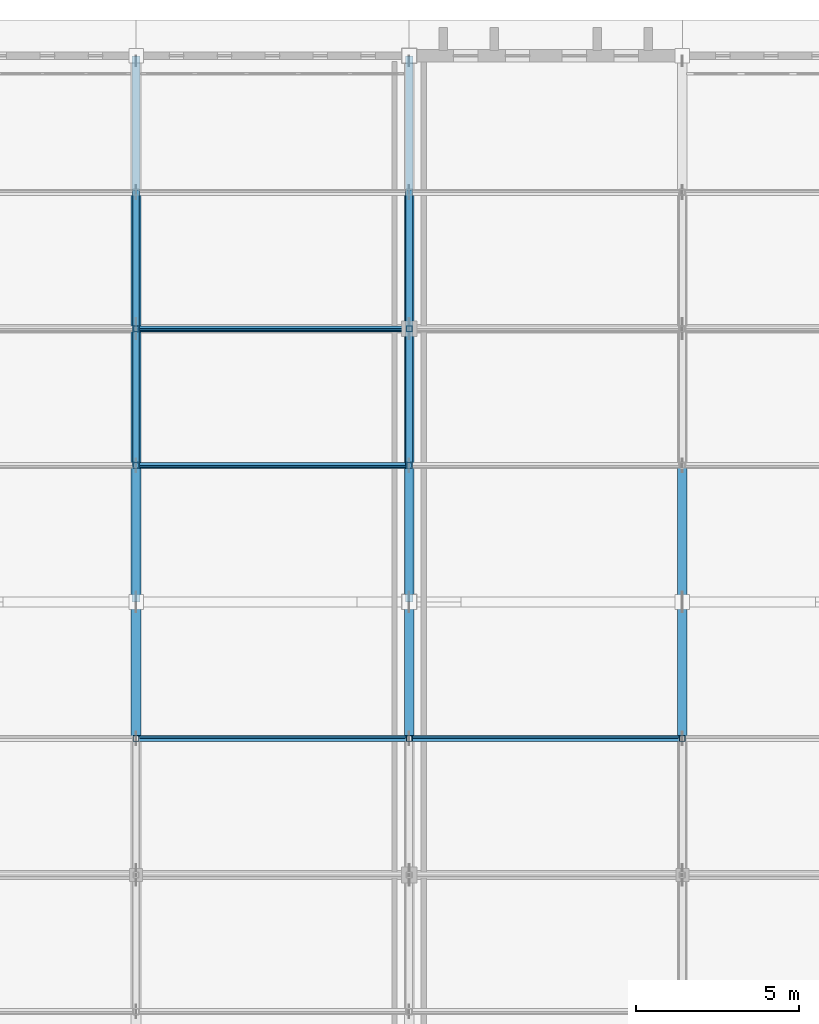
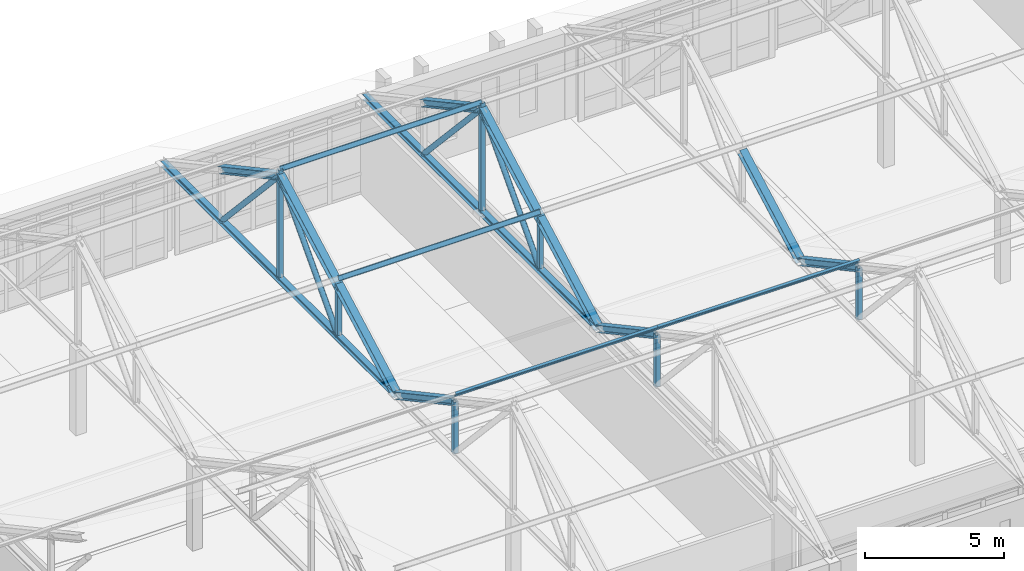
# One storey, part 36 of 110: 27 members.
"""IFC4 building model written with IfcOpenShell, lengths in metres."""

from ifc_helpers import new_model, si_unit, direction, frame, origin, origin_2d, place, context, subcontext, project, spatial, hollow_rectangle, hollow_circle, i_section, extrude, material, material_profile, profile_set, type_object, element, save


model = new_model("IFC4")

# Units and contexts
model_context = context("Model", 3, precision=1e-05, world=origin(), true_north=direction((0.0, 1.0)))
body_context = subcontext(model_context, "Body", "Model", "MODEL_VIEW")
ifc_project = project(units=[si_unit("LENGTHUNIT", "METRE"), si_unit("AREAUNIT", "SQUARE_METRE"), si_unit("VOLUMEUNIT", "CUBIC_METRE"), si_unit("PLANEANGLEUNIT", "RADIAN"), si_unit("MASSUNIT", "GRAM", prefix="KILO")], contexts=[model_context])

# Site, building, storey
site_placement = place(None, origin())
site = spatial("IfcSite", under=ifc_project, at=site_placement, CompositionType="ELEMENT")
building_placement = place(site_placement, origin())
building = spatial("IfcBuilding", under=site, at=building_placement, Name="Kveldsbrygga Polytechnic", CompositionType="ELEMENT")
storey_placement = place(building_placement, frame((0.0, 0.0, 9.860107421875)))
storey = spatial("IfcBuildingStorey", under=building, at=storey_placement, Name="L02", CompositionType="ELEMENT", Elevation=9.860107421875)

# Members
ifc_material = material(Name="Steel S355", Category="steel")
ifc_material_profile_1 = material_profile(ifc_material, i_section(OverallWidth=0.10009765625, OverallDepth=0.199951171875, WebThickness=0.005615234375, FlangeThickness=0.008544921875, FilletRadius=0.011962890625, at=origin_2d()), Name="IPE 200")
ifc_profile_set_1 = profile_set([ifc_material_profile_1], Name="Steel S355")
member_type_1 = type_object("IfcMemberType", Name="PRL-IPE200", PredefinedType="PURLIN", material=ifc_profile_set_1)
member_1_placement = place(storey_placement, frame((67.199951171875, 96.60009765625, 6.33349609375), z_axis=(1.0, 0.0, 0.0), x_axis=(0.0, 0.879292204483, 0.476282709256)))
element("IfcMember", 1, at=member_1_placement, inside=storey, type_object=member_type_1, Name="Roof Purlin V2L1-PRL-4-3", PredefinedType="PURLIN", context=body_context, shape_type="SweptSolid", body=[
    extrude(i_section(OverallWidth=0.10009765625, OverallDepth=0.199951171875, WebThickness=0.005615234375, FlangeThickness=0.008544921875, FilletRadius=0.011962890625, at=origin_2d()), origin(), (0.0, 0.0, 1.0), 8.400146484375),
])
member_2_placement = place(storey_placement, frame((75.60009765625, 96.60009765625, 6.33349609375), z_axis=(1.0, 0.0, 0.0), x_axis=(0.0, 0.879292204483, 0.476282709256)))
element("IfcMember", 2, at=member_2_placement, inside=storey, type_object=member_type_1, Name="Roof Purlin V2L1-PRL-5-3", PredefinedType="PURLIN", context=body_context, shape_type="SweptSolid", body=[
    extrude(i_section(OverallWidth=0.10009765625, OverallDepth=0.199951171875, WebThickness=0.005615234375, FlangeThickness=0.008544921875, FilletRadius=0.011962890625, at=origin_2d()), origin(), (0.0, 0.0, 1.0), 8.39990234375),
])
for number, where, z_axis, x_axis, name in (
    (3, (67.199951171875, 105.0, 6.33349609375), (1.0, 0.0, 0.0), (0.0, 0.879292204483, -0.476282709256), "Roof Purlin V2L2-PRL-4-1"),
    (4, (67.199951171875, 109.199951171875, 8.608642578125), (1.0, 0.0, 0.0), (0.0, 0.879292204483, -0.476282709256), "Roof Purlin V2L2-PRL-4-2"),
):
    element("IfcMember", number, at=place(storey_placement, frame(where, z_axis=z_axis, x_axis=x_axis)), inside=storey, type_object=member_type_1, Name=name, PredefinedType="PURLIN", context=body_context, shape_type="SweptSolid", body=[
        extrude(i_section(OverallWidth=0.10009765625, OverallDepth=0.199951171875, WebThickness=0.005615234375, FlangeThickness=0.008544921875, FilletRadius=0.011962890625, at=origin_2d()), origin(), (0.0, 0.0, 1.0), 8.400146484375),
    ])
ifc_material_profile_2 = material_profile(ifc_material, i_section(OverallWidth=0.239990234375, OverallDepth=0.22998046875, WebThickness=0.007568359375, FlangeThickness=0.011962890625, FilletRadius=0.02099609375, at=origin_2d()), Name="HEA 240")
ifc_profile_set_2 = profile_set([ifc_material_profile_2], Name="Steel S355")
member_type_2 = type_object("IfcMemberType", Name="TR-BOT-HEA240", PredefinedType="CHORD", material=ifc_profile_set_2)
for number, where, z_axis, x_axis, name in (
    (5, (67.199951171875, 100.800048828125, 3.77978515625), (0.0, 1.0, 0.0), (-1.0, 0.0, 0.0), "Truss Bottom Chord V2L2-T04-BC-1"),
    (6, (75.60009765625, 100.800048828125, 3.77978515625), (0.0, 1.0, 0.0), (-1.0, 0.0, 0.0), "Truss Bottom Chord V2L2-T05-BC-1"),
):
    element("IfcMember", number, at=place(storey_placement, frame(where, z_axis=z_axis, x_axis=x_axis)), inside=storey, type_object=member_type_2, Name=name, PredefinedType="CHORD", context=body_context, shape_type="SweptSolid", body=[
        extrude(i_section(OverallWidth=0.239990234375, OverallDepth=0.22998046875, WebThickness=0.007568359375, FlangeThickness=0.011962890625, FilletRadius=0.02099609375, at=origin_2d()), origin(), (0.0, 0.0, 1.0), 16.800048828125),
    ])
ifc_material_profile_3 = material_profile(ifc_material, hollow_circle(Radius=0.109619140625, WallThickness=0.012451171875, at=origin_2d()), Name="CHS 219.1x12.5")
ifc_profile_set_3 = profile_set([ifc_material_profile_3], Name="Steel S355")
member_type_3 = type_object("IfcMemberType", Name="TR-DIAG-CHS219", PredefinedType="BRACE", material=ifc_profile_set_3)
for number, where, z_axis, x_axis, name in (
    (7, (67.199951171875, 105.0, 3.77978515625), (0.0, 0.678271914864, 0.734811002576), (-1.0, 0.0, 0.0), "Truss Diagonal V2L2-T04-DG-2"),
    (8, (67.199951171875, 109.199951171875, 8.329833984375), (0.0, 0.678271914864, -0.734811002576), (-1.0, 0.0, 0.0), "Truss Diagonal V2L2-T04-DG-3"),
    (9, (75.60009765625, 105.0, 3.77978515625), (0.0, 0.678271914864, 0.734811002576), (-1.0, 0.0, 0.0), "Truss Diagonal V2L2-T05-DG-2"),
    (10, (75.60009765625, 109.199951171875, 8.329833984375), (0.0, 0.678271914864, -0.734811002576), (-1.0, 0.0, 0.0), "Truss Diagonal V2L2-T05-DG-3"),
):
    element("IfcMember", number, at=place(storey_placement, frame(where, z_axis=z_axis, x_axis=x_axis)), inside=storey, type_object=member_type_3, Name=name, PredefinedType="BRACE", context=body_context, shape_type="SweptSolid", body=[
        extrude(hollow_circle(Radius=0.109619140625, WallThickness=0.012451171875, at=origin_2d()), origin(), (0.0, 0.0, 1.0), 6.192138671875),
    ])
ifc_material_profile_4 = material_profile(ifc_material, hollow_rectangle(XDim=0.179931640625, YDim=0.179931640625, WallThickness=0.010009765625, at=origin_2d()), Name="SHS 180x180x10.0")
ifc_profile_set_4 = profile_set([ifc_material_profile_4], Name="Steel S355")
member_type_4 = type_object("IfcMemberType", Name="TR-POST-SHS180", PredefinedType="STRUT", material=ifc_profile_set_4)
for number, where, z_axis, x_axis, name in (
    (11, (67.199951171875, 96.60009765625, 3.77978515625), (0.0, 0.0, 1.0), (1.0, 0.0, 0.0), "Truss Vertical V2L1-T04-VT-3"),
    (12, (75.60009765625, 96.60009765625, 3.77978515625), (0.0, 0.0, 1.0), (1.0, 0.0, 0.0), "Truss Vertical V2L1-T05-VT-3"),
    (13, (84.0, 96.60009765625, 3.77978515625), (0.0, 0.0, 1.0), (1.0, 0.0, 0.0), "Truss Vertical V2L1-T06-VT-3"),
    (14, (67.199951171875, 105.0, 3.77978515625), (0.0, 0.0, 1.0), (1.0, 0.0, 0.0), "Truss Vertical V2L2-T04-VT-1"),
):
    element("IfcMember", number, at=place(storey_placement, frame(where, z_axis=z_axis, x_axis=x_axis)), inside=storey, type_object=member_type_4, Name=name, PredefinedType="STRUT", context=body_context, shape_type="SweptSolid", body=[
        extrude(hollow_rectangle(XDim=0.179931640625, YDim=0.179931640625, WallThickness=0.010009765625, at=origin_2d()), origin(), (0.0, 0.0, 1.0), 2.275146484375),
    ])
member_3_placement = place(storey_placement, frame((67.199951171875, 109.199951171875, 3.77978515625), z_axis=(0.0, 0.0, 1.0), x_axis=(1.0, 0.0, 0.0)))
element("IfcMember", 15, at=member_3_placement, inside=storey, type_object=member_type_4, Name="Truss Vertical V2L2-T04-VT-2", PredefinedType="STRUT", context=body_context, shape_type="SweptSolid", body=[
    extrude(hollow_rectangle(XDim=0.179931640625, YDim=0.179931640625, WallThickness=0.010009765625, at=origin_2d()), origin(), (0.0, 0.0, 1.0), 4.828857421875),
])
member_4_placement = place(storey_placement, frame((75.60009765625, 105.0, 3.77978515625), z_axis=(0.0, 0.0, 1.0), x_axis=(1.0, 0.0, 0.0)))
element("IfcMember", 16, at=member_4_placement, inside=storey, type_object=member_type_4, Name="Truss Vertical V2L2-T05-VT-1", PredefinedType="STRUT", context=body_context, shape_type="SweptSolid", body=[
    extrude(hollow_rectangle(XDim=0.179931640625, YDim=0.179931640625, WallThickness=0.010009765625, at=origin_2d()), origin(), (0.0, 0.0, 1.0), 2.275146484375),
])
member_5_placement = place(storey_placement, frame((75.60009765625, 109.199951171875, 3.77978515625), z_axis=(0.0, 0.0, 1.0), x_axis=(1.0, 0.0, 0.0)))
element("IfcMember", 17, at=member_5_placement, inside=storey, type_object=member_type_4, Name="Truss Vertical V2L2-T05-VT-2", PredefinedType="STRUT", context=body_context, shape_type="SweptSolid", body=[
    extrude(hollow_rectangle(XDim=0.179931640625, YDim=0.179931640625, WallThickness=0.010009765625, at=origin_2d()), origin(), (0.0, 0.0, 1.0), 4.828857421875),
])
ifc_material_profile_5 = material_profile(ifc_material, i_section(OverallWidth=0.300048828125, OverallDepth=0.2900390625, WebThickness=0.008544921875, FlangeThickness=0.013916015625, FilletRadius=0.027099609375, at=origin_2d()), Name="HEA 300")
ifc_profile_set_5 = profile_set([ifc_material_profile_5], Name="Steel S355")
member_type_5 = type_object("IfcMemberType", Name="TR-TOP-HEA300", PredefinedType="CHORD", material=ifc_profile_set_5)
for number, where, z_axis, x_axis, name in (
    (18, (67.199951171875, 96.60009765625, 6.054931640625), (0.0, 0.879276804059, -0.476311139744), (-1.0, 0.0, 0.0), "Truss Top Chord V2L1-T04-TC-4"),
    (19, (75.60009765625, 96.60009765625, 6.054931640625), (0.0, 0.879276804059, -0.476311139744), (-1.0, 0.0, 0.0), "Truss Top Chord V2L1-T05-TC-4"),
    (20, (84.0, 96.60009765625, 6.054931640625), (0.0, 0.879276804059, -0.476311139744), (-1.0, 0.0, 0.0), "Truss Top Chord V2L1-T06-TC-4"),
    (21, (67.199951171875, 100.800048828125, 3.77978515625), (0.0, 0.879276804059, 0.476311139744), (-1.0, 0.0, 0.0), "Truss Top Chord V2L2-T04-TC-1"),
):
    element("IfcMember", number, at=place(storey_placement, frame(where, z_axis=z_axis, x_axis=x_axis)), inside=storey, type_object=member_type_5, Name=name, PredefinedType="CHORD", context=body_context, shape_type="SweptSolid", body=[
        extrude(i_section(OverallWidth=0.300048828125, OverallDepth=0.2900390625, WebThickness=0.008544921875, FlangeThickness=0.013916015625, FilletRadius=0.027099609375, at=origin_2d()), origin(), (0.0, 0.0, 1.0), 4.776611328125),
    ])
for number, where, z_axis, x_axis, name in (
    (22, (67.199951171875, 105.0, 6.054931640625), (0.0, 0.879298209803, 0.47627162233), (-1.0, 0.0, 0.0), "Truss Top Chord V2L2-T04-TC-2"),
    (23, (67.199951171875, 109.199951171875, 8.329833984375), (0.0, 0.879298209803, -0.47627162233), (-1.0, 0.0, 0.0), "Truss Top Chord V2L2-T04-TC-3"),
):
    element("IfcMember", number, at=place(storey_placement, frame(where, z_axis=z_axis, x_axis=x_axis)), inside=storey, type_object=member_type_5, Name=name, PredefinedType="CHORD", context=body_context, shape_type="SweptSolid", body=[
        extrude(i_section(OverallWidth=0.300048828125, OverallDepth=0.2900390625, WebThickness=0.008544921875, FlangeThickness=0.013916015625, FilletRadius=0.027099609375, at=origin_2d()), origin(), (0.0, 0.0, 1.0), 4.7763671875),
    ])
member_6_placement = place(storey_placement, frame((75.60009765625, 100.800048828125, 3.77978515625), z_axis=(0.0, 0.879276804059, 0.476311139744), x_axis=(-1.0, 0.0, 0.0)))
element("IfcMember", 24, at=member_6_placement, inside=storey, type_object=member_type_5, Name="Truss Top Chord V2L2-T05-TC-1", PredefinedType="CHORD", context=body_context, shape_type="SweptSolid", body=[
    extrude(i_section(OverallWidth=0.300048828125, OverallDepth=0.2900390625, WebThickness=0.008544921875, FlangeThickness=0.013916015625, FilletRadius=0.027099609375, at=origin_2d()), origin(), (0.0, 0.0, 1.0), 4.776611328125),
])
for number, where, z_axis, x_axis, name in (
    (25, (75.60009765625, 105.0, 6.054931640625), (0.0, 0.879298209803, 0.47627162233), (-1.0, 0.0, 0.0), "Truss Top Chord V2L2-T05-TC-2"),
    (26, (75.60009765625, 109.199951171875, 8.329833984375), (0.0, 0.879298209803, -0.47627162233), (-1.0, 0.0, 0.0), "Truss Top Chord V2L2-T05-TC-3"),
):
    element("IfcMember", number, at=place(storey_placement, frame(where, z_axis=z_axis, x_axis=x_axis)), inside=storey, type_object=member_type_5, Name=name, PredefinedType="CHORD", context=body_context, shape_type="SweptSolid", body=[
        extrude(i_section(OverallWidth=0.300048828125, OverallDepth=0.2900390625, WebThickness=0.008544921875, FlangeThickness=0.013916015625, FilletRadius=0.027099609375, at=origin_2d()), origin(), (0.0, 0.0, 1.0), 4.7763671875),
    ])
member_7_placement = place(storey_placement, frame((84.0, 100.800048828125, 3.77978515625), z_axis=(0.0, 0.879276804059, 0.476311139744), x_axis=(-1.0, 0.0, 0.0)))
element("IfcMember", 27, at=member_7_placement, inside=storey, type_object=member_type_5, Name="Truss Top Chord V2L2-T06-TC-1", PredefinedType="CHORD", context=body_context, shape_type="SweptSolid", body=[
    extrude(i_section(OverallWidth=0.300048828125, OverallDepth=0.2900390625, WebThickness=0.008544921875, FlangeThickness=0.013916015625, FilletRadius=0.027099609375, at=origin_2d()), origin(), (0.0, 0.0, 1.0), 4.776611328125),
])

save(model, "model.ifc")
